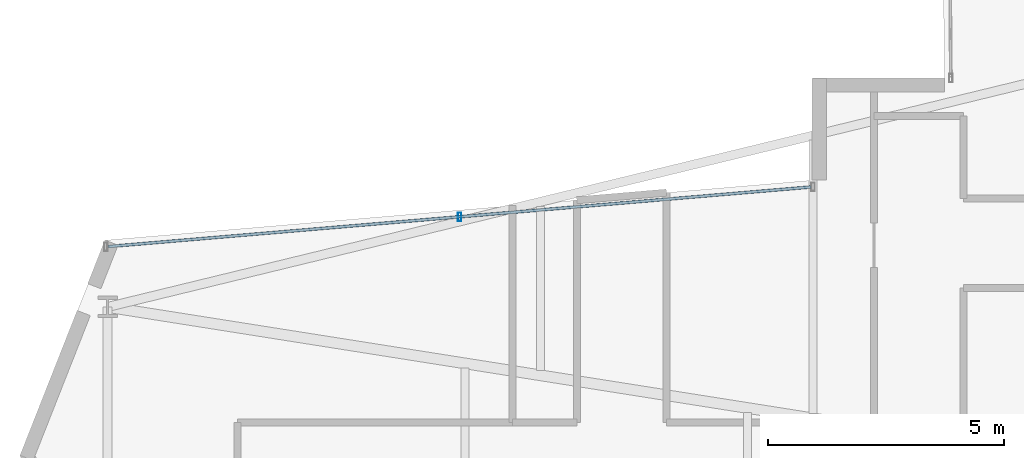
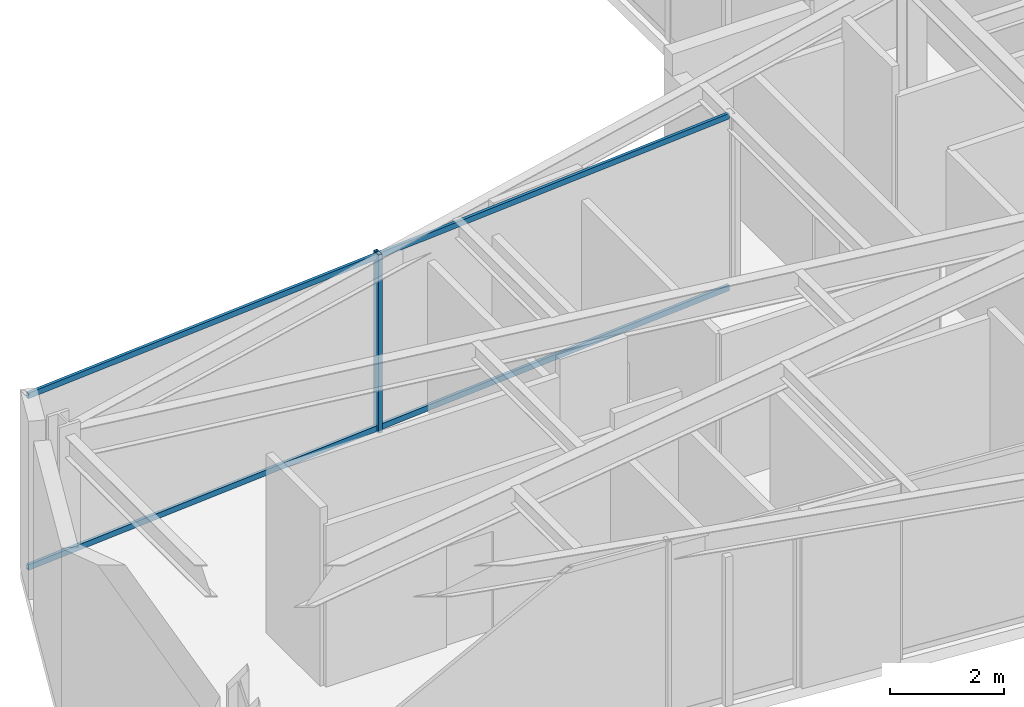
# One storey, part 8 of 25: 3 members, 1 element without a shape of its own.
"""IFC4 building model written with IfcOpenShell, lengths in metres."""

import ifcopenshell
import ifcopenshell.guid

model = None  # the IFC model being written
_history = None  # IfcOwnerHistory: only IFC2X3 demands one
_inside = {}  # id of a spatial element -> (the spatial element, [elements in it])
_under = {}  # id of a project, library or spatial element -> (it, [spatial elements below it])
_declared = {}  # id of a project -> (the project, [libraries it declares])
_typed = {}  # id of a type object -> (the type object, [elements of that type])
_made_of = {}  # id of a material, layer set ... -> (it, [elements and type objects made of it])


def new_model(schema):
    """Start an empty IFC model of exactly this schema.

    Asked for "IFC4X3", IfcOpenShell would pick the latest addendum, in which some entities
    have other attributes; the version numbers below select the first issue.
    IFC2X3 requires an IfcOwnerHistory on every rooted entity: one is made here for all.
    """
    global model, _history
    if schema == "IFC4X3":
        model = ifcopenshell.file(schema_version=(4, 3, 0, 0))
    else:
        model = ifcopenshell.file(schema=schema)
    _inside.clear()
    _under.clear()
    _declared.clear()
    _typed.clear()
    _made_of.clear()
    _history = None
    if model.schema == "IFC2X3":
        org = make("IfcOrganization", Name="unknown")
        user = make(
            "IfcPersonAndOrganization",
            ThePerson=make("IfcPerson", FamilyName="unknown"),
            TheOrganization=org,
        )
        app = make(
            "IfcApplication",
            ApplicationDeveloper=org,
            Version="unknown",
            ApplicationFullName="unknown",
            ApplicationIdentifier="unknown",
        )
        _history = make(
            "IfcOwnerHistory",
            OwningUser=user,
            OwningApplication=app,
            ChangeAction="ADDED",
            CreationDate=0,
        )
    return model


def make(cls, **values):
    """One entity of the class cls with the attributes given. An attribute that is None is left unset."""
    return model.create_entity(
        cls, **{name: value for name, value in values.items() if value is not None}
    )


def rooted(cls, **values):
    """An entity with a GlobalId (a new one), such as an element, a storey or a relation."""
    return make(cls, GlobalId=ifcopenshell.guid.new(), OwnerHistory=_history, **values)


def si_unit(unit_type, name, prefix=None):
    """IfcSIUnit, for example si_unit("LENGTHUNIT", "METRE", prefix="MILLI")."""
    return make("IfcSIUnit", UnitType=unit_type, Prefix=prefix, Name=name)


def assignment(units):
    """IfcUnitAssignment: the units of a project."""
    return None if units is None else make("IfcUnitAssignment", Units=units)


def point(xyz):
    """IfcCartesianPoint."""
    return None if xyz is None else make("IfcCartesianPoint", Coordinates=xyz)


def direction(xyz):
    """IfcDirection."""
    return None if xyz is None else make("IfcDirection", DirectionRatios=xyz)


def frame(location, z_axis=None, x_axis=None):
    """IfcAxis2Placement3D, a coordinate frame: its origin and axes. An axis left out is left unset."""
    return make(
        "IfcAxis2Placement3D",
        Location=point(location),
        Axis=direction(z_axis),
        RefDirection=direction(x_axis),
    )


def frame_2d(location, x_axis=None):
    """IfcAxis2Placement2D, a coordinate frame in the plane: its origin and x axis."""
    return make(
        "IfcAxis2Placement2D", Location=point(location), RefDirection=direction(x_axis)
    )


def origin():
    """The frame at (0, 0, 0) with its axes left unset."""
    return frame((0.0, 0.0, 0.0))


def origin_2d():
    """The frame at (0, 0) in the plane with its x axis left unset."""
    return frame_2d((0.0, 0.0))


def place(relative_to, where):
    """IfcLocalPlacement: puts the frame where relative to a parent placement (None: the world)."""
    return make(
        "IfcLocalPlacement", PlacementRelTo=relative_to, RelativePlacement=where
    )


def context(
    kind, dimensions, precision=None, world=None, true_north=None, identifier=None
):
    """IfcGeometricRepresentationContext, for example the 3D "Model" context."""
    return make(
        "IfcGeometricRepresentationContext",
        ContextIdentifier=identifier,
        ContextType=kind,
        CoordinateSpaceDimension=dimensions,
        Precision=precision,
        WorldCoordinateSystem=world,
        TrueNorth=true_north,
    )


def subcontext(parent, identifier, kind, view, scale=None):
    """IfcGeometricRepresentationSubContext, for example "Body" below "Model"."""
    return make(
        "IfcGeometricRepresentationSubContext",
        ContextIdentifier=identifier,
        ContextType=kind,
        ParentContext=parent,
        TargetScale=scale,
        TargetView=view,
    )


def project(units=None, contexts=None):
    """IfcProject with its units and contexts."""
    return rooted(
        "IfcProject",
        Name="project",
        RepresentationContexts=contexts,
        UnitsInContext=assignment(units),
    )


def spatial(cls, under=None, at=None, **own):
    """A site, building, storey or space (cls), placed at a placement, below another one or the project."""
    s = rooted(cls, ObjectPlacement=at, **own)
    if under is not None:
        _under.setdefault(under.id(), (under, []))[1].append(s)
    return s


def profile(cls, at=None, kind="AREA", **sizes):
    """A parametric profile (cls). Its sizes go by their IFC names, for example OverallWidth=200.0."""
    return make(cls, ProfileType=kind, Position=at, **sizes)


def hollow_rectangle(**sizes):
    """IfcRectangleHollowProfileDef."""
    return profile("IfcRectangleHollowProfileDef", **sizes)


def extrude(swept, where, along, depth):
    """IfcExtrudedAreaSolid: the profile swept, set in the frame where, extruded along a direction by depth."""
    return make(
        "IfcExtrudedAreaSolid",
        SweptArea=swept,
        Position=where,
        ExtrudedDirection=direction(along),
        Depth=depth,
    )


def shape(context_of_items, identifier, shape_type, items):
    """IfcShapeRepresentation: the items that make up one representation, for example the "Body"."""
    return make(
        "IfcShapeRepresentation",
        ContextOfItems=context_of_items,
        RepresentationIdentifier=identifier,
        RepresentationType=shape_type,
        Items=items,
    )


def material(Name=None, Category=None):
    """IfcMaterial."""
    return make("IfcMaterial", Name=Name, Category=Category)


def layer(
    of_material, thickness, ventilated=None, Name=None, Category=None, Priority=None
):
    """IfcMaterialLayer: one layer of a wall or slab, of a material (None: an air gap)."""
    return make(
        "IfcMaterialLayer",
        Material=of_material,
        LayerThickness=thickness,
        IsVentilated=ventilated,
        Name=Name,
        Category=Category,
        Priority=Priority,
    )


def layer_set(layers, Name=None):
    """IfcMaterialLayerSet."""
    return make("IfcMaterialLayerSet", MaterialLayers=layers, LayerSetName=Name)


def material_profile(
    of_material, cross_section, Name=None, Category=None, Priority=None
):
    """IfcMaterialProfile: a cross section and its material."""
    return make(
        "IfcMaterialProfile",
        Name=Name,
        Material=of_material,
        Profile=cross_section,
        Priority=Priority,
        Category=Category,
    )


def profile_set(profiles, Name=None, composite=None):
    """IfcMaterialProfileSet."""
    return make(
        "IfcMaterialProfileSet",
        Name=Name,
        MaterialProfiles=profiles,
        CompositeProfile=composite,
    )


def made_of(thing, what):
    """Note that an element or type object is made of a material, layer set ...; save() writes the relation."""
    if what is not None:
        _made_of.setdefault(what.id(), (what, []))[1].append(thing)
    return thing


def type_object(cls, material=None, **own):
    """A type object (cls), such as IfcWallType, which elements share."""
    return made_of(rooted(cls, **own), material)


def element(
    cls,
    number,
    at=None,
    inside=None,
    cuts=None,
    type_object=None,
    material=None,
    context=None,
    identifier="Body",
    shape_type=None,
    held_by="IfcProductDefinitionShape",
    body=None,
    shapes=None,
    **own,
):
    """One element of the class cls, such as IfcWall. Its Tag is "e" and its number.

    at: its placement. inside: the storey or other place that contains it. cuts: it is an
    opening in that element (IfcRelVoidsElement). A single representation is given by context,
    identifier, shape_type and body (its items); several are given by shapes. held_by: the class
    of the entity that holds the representations. save() writes the other relations.
    """
    e = rooted(cls, Tag="e%d" % number, ObjectPlacement=at, **own)
    if body is not None:
        shapes = [shape(context, identifier, shape_type, body)]
    if shapes is not None:
        e.Representation = make(held_by, Representations=shapes)
    if inside is not None:
        _inside.setdefault(inside.id(), (inside, []))[1].append(e)
    if cuts is not None:
        rooted(
            "IfcRelVoidsElement", RelatingBuildingElement=cuts, RelatedOpeningElement=e
        )
    if type_object is not None:
        _typed.setdefault(type_object.id(), (type_object, []))[1].append(e)
    return made_of(e, material)


def aggregate(whole, parts):
    """IfcRelAggregates: a whole, such as a stair, and the parts it consists of."""
    return rooted("IfcRelAggregates", RelatingObject=whole, RelatedObjects=parts)


def save(model, path):
    """Write the relations noted so far, then the file.

    IfcRelAggregates (storeys below a building ...), IfcRelContainedInSpatialStructure (elements
    in a storey), IfcRelDefinesByType, IfcRelAssociatesMaterial and IfcRelDeclares: one each for
    every whole, place, type object, material and project.
    """
    for whole, parts in _under.values():
        aggregate(whole, parts)
    for where, things in _inside.values():
        rooted(
            "IfcRelContainedInSpatialStructure",
            RelatedElements=things,
            RelatingStructure=where,
        )
    for kind, things in _typed.values():
        rooted("IfcRelDefinesByType", RelatedObjects=things, RelatingType=kind)
    for what, things in _made_of.values():
        rooted("IfcRelAssociatesMaterial", RelatedObjects=things, RelatingMaterial=what)
    for by, libraries in _declared.values():
        rooted("IfcRelDeclares", RelatingContext=by, RelatedDefinitions=libraries)
    model.write(path)


model = new_model("IFC4")

# Units and contexts
model_context = context("Model", 3, precision=1e-05, world=origin(), true_north=direction((0.0, 1.0)))
body_context = subcontext(model_context, "Body", "Model", "MODEL_VIEW")
ifc_project = project(units=[si_unit("LENGTHUNIT", "METRE"), si_unit("AREAUNIT", "SQUARE_METRE"), si_unit("VOLUMEUNIT", "CUBIC_METRE"), si_unit("PLANEANGLEUNIT", "RADIAN"), si_unit("MASSUNIT", "GRAM", prefix="KILO")], contexts=[model_context])

# Site, building, storey
site_placement = place(None, origin())
site = spatial("IfcSite", under=ifc_project, at=site_placement, CompositionType="ELEMENT")
building_placement = place(site_placement, origin())
building = spatial("IfcBuilding", under=site, at=building_placement, Name="Veymaron Broadcast Tower", CompositionType="ELEMENT")
storey_placement = place(building_placement, frame((0.0, 0.0, 141.14990234375)))
storey = spatial("IfcBuildingStorey", under=building, at=storey_placement, Name="L32", CompositionType="ELEMENT", Elevation=141.14990234375)

# Curtain wall, members
ifc_material_1 = material(Name="Anodised aluminium AA 6063-T6 and laminated low-E dark glass", Category="aluminium")
ifc_layer = layer(ifc_material_1, 0.179931640625)
ifc_layer_set = layer_set([ifc_layer], Name="Anodised aluminium AA 6063-T6 and laminated low-E dark glass")
curtain_wall_type = type_object("IfcCurtainWallType", Name="CW-SYS-03", PredefinedType="NOTDEFINED", material=ifc_layer_set)
curtain_wall_placement = place(storey_placement, origin())
curtain_wall = element("IfcCurtainWall", 1, at=curtain_wall_placement, inside=storey, type_object=curtain_wall_type, Name="L32 dark-glass curtain wall CW-L32-E11-1", PredefinedType="NOTDEFINED")
ifc_material_2 = material(Name="Anodised aluminium AA 6063-T6", Category="aluminium")
ifc_material_profile_1 = material_profile(ifc_material_2, hollow_rectangle(XDim=0.074951171875, YDim=0.179931640625, WallThickness=0.0048828125, at=origin_2d()), Name="AL180X75X5")
ifc_profile_set_1 = profile_set([ifc_material_profile_1], Name="Anodised aluminium AA 6063-T6")
member_type_1 = type_object("IfcMemberType", Name="CW-MUL-02", PredefinedType="MULLION", material=ifc_profile_set_1)
member_1_placement = place(storey_placement, frame((18.7119140625, 29.062255859375, 0.0), z_axis=(0.0, 0.0, 1.0), x_axis=(1.0, 0.0, 0.0)))
member_1 = element("IfcMember", 2, at=member_1_placement, type_object=member_type_1, Name="CW-L32-E11-1 mullion 1", PredefinedType="MULLION", context=body_context, shape_type="SweptSolid", body=[
    extrude(hollow_rectangle(XDim=0.074951171875, YDim=0.179931640625, WallThickness=0.0048828125, at=origin_2d()), origin(), (0.0, 0.0, 1.0), 3.81005859375),
])
ifc_material_profile_2 = material_profile(ifc_material_2, hollow_rectangle(XDim=0.06005859375, YDim=0.1201171875, WallThickness=0.00390625, at=origin_2d()), Name="AL120X60X4")
ifc_profile_set_2 = profile_set([ifc_material_profile_2], Name="Anodised aluminium AA 6063-T6")
member_type_2 = type_object("IfcMemberType", Name="CW-TRN-02", PredefinedType="USERDEFINED", material=ifc_profile_set_2)
member_2_placement = place(storey_placement, frame((26.162109375, 29.694091796875, 0.070068359375), z_axis=(-0.99642308754, -0.084504618907, 0.0), x_axis=(0.084504618907, -0.99642308754, 0.0)))
member_2 = element("IfcMember", 3, at=member_2_placement, type_object=member_type_2, Name="CW-L32-E11-1 transom B", ObjectType="TRANSOM", PredefinedType="USERDEFINED", context=body_context, shape_type="SweptSolid", body=[
    extrude(hollow_rectangle(XDim=0.06005859375, YDim=0.1201171875, WallThickness=0.00390625, at=origin_2d()), origin(), (0.0, 0.0, 1.0), 14.953857421875),
])
member_3_placement = place(storey_placement, frame((26.162109375, 29.694091796875, 3.739990234375), z_axis=(-0.99642308754, -0.084504618907, 0.0), x_axis=(0.084504618907, -0.99642308754, 0.0)))
member_3 = element("IfcMember", 4, at=member_3_placement, type_object=member_type_2, Name="CW-L32-E11-1 transom T", ObjectType="TRANSOM", PredefinedType="USERDEFINED", context=body_context, shape_type="SweptSolid", body=[
    extrude(hollow_rectangle(XDim=0.06005859375, YDim=0.1201171875, WallThickness=0.00390625, at=origin_2d()), origin(), (0.0, 0.0, 1.0), 14.953857421875),
])
aggregate(curtain_wall, [member_1, member_2, member_3])

save(model, "model.ifc")
